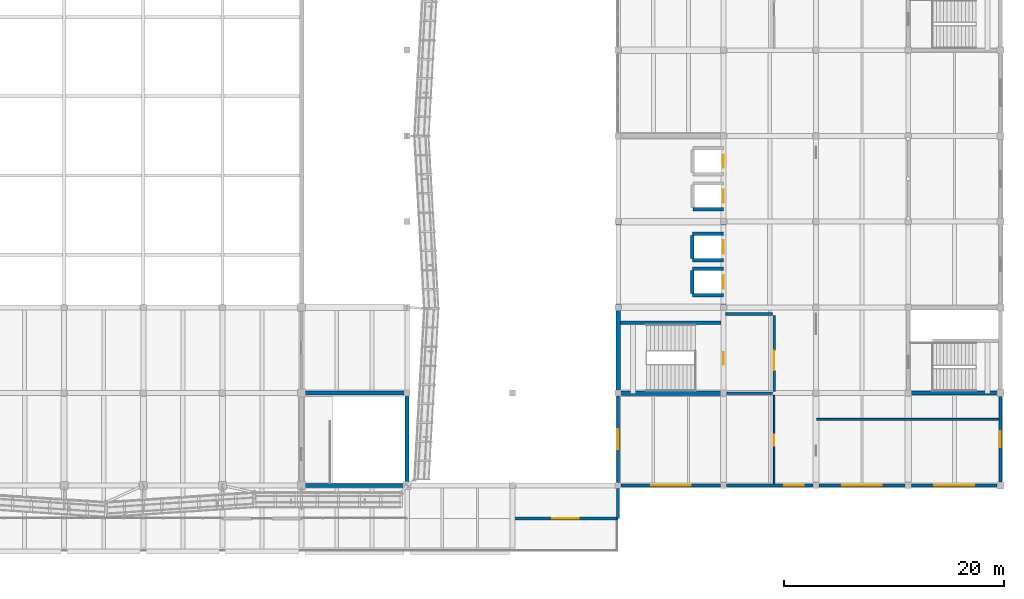
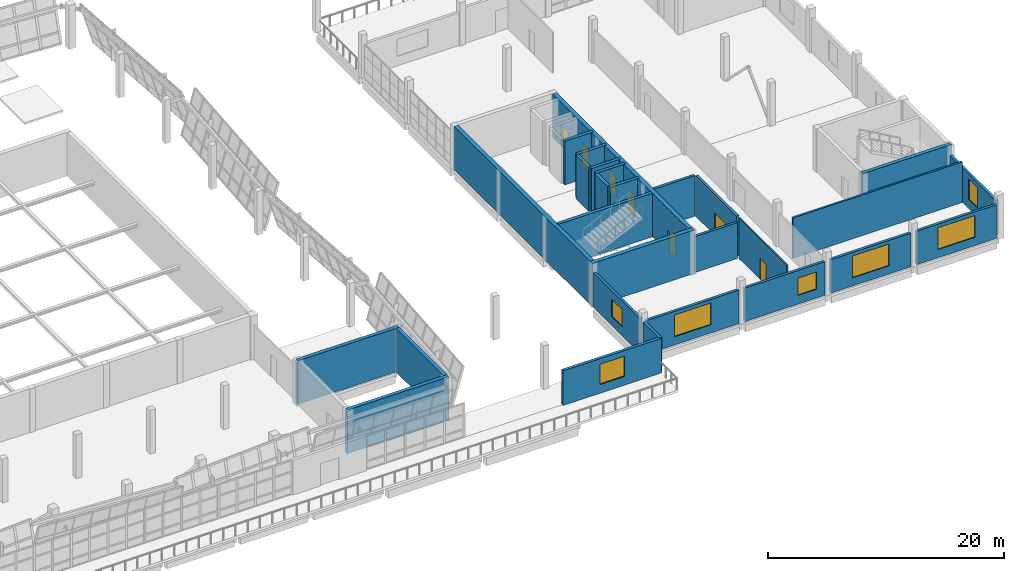
# One storey, part 56 of 67: 28 walls, 7 doors, 7 windows, 14 openings.
"""IFC4 building model written with IfcOpenShell, lengths in metres."""

import ifcopenshell
import ifcopenshell.guid

model = None  # the IFC model being written
_history = None  # IfcOwnerHistory: only IFC2X3 demands one
_inside = {}  # id of a spatial element -> (the spatial element, [elements in it])
_under = {}  # id of a project, library or spatial element -> (it, [spatial elements below it])
_declared = {}  # id of a project -> (the project, [libraries it declares])
_typed = {}  # id of a type object -> (the type object, [elements of that type])
_made_of = {}  # id of a material, layer set ... -> (it, [elements and type objects made of it])


def new_model(schema):
    """Start an empty IFC model of exactly this schema.

    Asked for "IFC4X3", IfcOpenShell would pick the latest addendum, in which some entities
    have other attributes; the version numbers below select the first issue.
    IFC2X3 requires an IfcOwnerHistory on every rooted entity: one is made here for all.
    """
    global model, _history
    if schema == "IFC4X3":
        model = ifcopenshell.file(schema_version=(4, 3, 0, 0))
    else:
        model = ifcopenshell.file(schema=schema)
    _inside.clear()
    _under.clear()
    _declared.clear()
    _typed.clear()
    _made_of.clear()
    _history = None
    if model.schema == "IFC2X3":
        org = make("IfcOrganization", Name="unknown")
        user = make(
            "IfcPersonAndOrganization",
            ThePerson=make("IfcPerson", FamilyName="unknown"),
            TheOrganization=org,
        )
        app = make(
            "IfcApplication",
            ApplicationDeveloper=org,
            Version="unknown",
            ApplicationFullName="unknown",
            ApplicationIdentifier="unknown",
        )
        _history = make(
            "IfcOwnerHistory",
            OwningUser=user,
            OwningApplication=app,
            ChangeAction="ADDED",
            CreationDate=0,
        )
    return model


def make(cls, **values):
    """One entity of the class cls with the attributes given. An attribute that is None is left unset."""
    return model.create_entity(
        cls, **{name: value for name, value in values.items() if value is not None}
    )


def rooted(cls, **values):
    """An entity with a GlobalId (a new one), such as an element, a storey or a relation."""
    return make(cls, GlobalId=ifcopenshell.guid.new(), OwnerHistory=_history, **values)


def si_unit(unit_type, name, prefix=None):
    """IfcSIUnit, for example si_unit("LENGTHUNIT", "METRE", prefix="MILLI")."""
    return make("IfcSIUnit", UnitType=unit_type, Prefix=prefix, Name=name)


def assignment(units):
    """IfcUnitAssignment: the units of a project."""
    return None if units is None else make("IfcUnitAssignment", Units=units)


def point(xyz):
    """IfcCartesianPoint."""
    return None if xyz is None else make("IfcCartesianPoint", Coordinates=xyz)


def direction(xyz):
    """IfcDirection."""
    return None if xyz is None else make("IfcDirection", DirectionRatios=xyz)


def frame(location, z_axis=None, x_axis=None):
    """IfcAxis2Placement3D, a coordinate frame: its origin and axes. An axis left out is left unset."""
    return make(
        "IfcAxis2Placement3D",
        Location=point(location),
        Axis=direction(z_axis),
        RefDirection=direction(x_axis),
    )


def frame_2d(location, x_axis=None):
    """IfcAxis2Placement2D, a coordinate frame in the plane: its origin and x axis."""
    return make(
        "IfcAxis2Placement2D", Location=point(location), RefDirection=direction(x_axis)
    )


def origin():
    """The frame at (0, 0, 0) with its axes left unset."""
    return frame((0.0, 0.0, 0.0))


def place(relative_to, where):
    """IfcLocalPlacement: puts the frame where relative to a parent placement (None: the world)."""
    return make(
        "IfcLocalPlacement", PlacementRelTo=relative_to, RelativePlacement=where
    )


def context(
    kind, dimensions, precision=None, world=None, true_north=None, identifier=None
):
    """IfcGeometricRepresentationContext, for example the 3D "Model" context."""
    return make(
        "IfcGeometricRepresentationContext",
        ContextIdentifier=identifier,
        ContextType=kind,
        CoordinateSpaceDimension=dimensions,
        Precision=precision,
        WorldCoordinateSystem=world,
        TrueNorth=true_north,
    )


def subcontext(parent, identifier, kind, view, scale=None):
    """IfcGeometricRepresentationSubContext, for example "Body" below "Model"."""
    return make(
        "IfcGeometricRepresentationSubContext",
        ContextIdentifier=identifier,
        ContextType=kind,
        ParentContext=parent,
        TargetScale=scale,
        TargetView=view,
    )


def project(units=None, contexts=None):
    """IfcProject with its units and contexts."""
    return rooted(
        "IfcProject",
        Name="project",
        RepresentationContexts=contexts,
        UnitsInContext=assignment(units),
    )


def spatial(cls, under=None, at=None, **own):
    """A site, building, storey or space (cls), placed at a placement, below another one or the project."""
    s = rooted(cls, ObjectPlacement=at, **own)
    if under is not None:
        _under.setdefault(under.id(), (under, []))[1].append(s)
    return s


def profile(cls, at=None, kind="AREA", **sizes):
    """A parametric profile (cls). Its sizes go by their IFC names, for example OverallWidth=200.0."""
    return make(cls, ProfileType=kind, Position=at, **sizes)


def rectangle(**sizes):
    """IfcRectangleProfileDef."""
    return profile("IfcRectangleProfileDef", **sizes)


def extrude(swept, where, along, depth):
    """IfcExtrudedAreaSolid: the profile swept, set in the frame where, extruded along a direction by depth."""
    return make(
        "IfcExtrudedAreaSolid",
        SweptArea=swept,
        Position=where,
        ExtrudedDirection=direction(along),
        Depth=depth,
    )


def shape(context_of_items, identifier, shape_type, items):
    """IfcShapeRepresentation: the items that make up one representation, for example the "Body"."""
    return make(
        "IfcShapeRepresentation",
        ContextOfItems=context_of_items,
        RepresentationIdentifier=identifier,
        RepresentationType=shape_type,
        Items=items,
    )


def material(Name=None, Category=None):
    """IfcMaterial."""
    return make("IfcMaterial", Name=Name, Category=Category)


def layer(
    of_material, thickness, ventilated=None, Name=None, Category=None, Priority=None
):
    """IfcMaterialLayer: one layer of a wall or slab, of a material (None: an air gap)."""
    return make(
        "IfcMaterialLayer",
        Material=of_material,
        LayerThickness=thickness,
        IsVentilated=ventilated,
        Name=Name,
        Category=Category,
        Priority=Priority,
    )


def layer_set(layers, Name=None):
    """IfcMaterialLayerSet."""
    return make("IfcMaterialLayerSet", MaterialLayers=layers, LayerSetName=Name)


def made_of(thing, what):
    """Note that an element or type object is made of a material, layer set ...; save() writes the relation."""
    if what is not None:
        _made_of.setdefault(what.id(), (what, []))[1].append(thing)
    return thing


def type_object(cls, material=None, **own):
    """A type object (cls), such as IfcWallType, which elements share."""
    return made_of(rooted(cls, **own), material)


def element(
    cls,
    number,
    at=None,
    inside=None,
    cuts=None,
    type_object=None,
    material=None,
    context=None,
    identifier="Body",
    shape_type=None,
    held_by="IfcProductDefinitionShape",
    body=None,
    shapes=None,
    **own,
):
    """One element of the class cls, such as IfcWall. Its Tag is "e" and its number.

    at: its placement. inside: the storey or other place that contains it. cuts: it is an
    opening in that element (IfcRelVoidsElement). A single representation is given by context,
    identifier, shape_type and body (its items); several are given by shapes. held_by: the class
    of the entity that holds the representations. save() writes the other relations.
    """
    e = rooted(cls, Tag="e%d" % number, ObjectPlacement=at, **own)
    if body is not None:
        shapes = [shape(context, identifier, shape_type, body)]
    if shapes is not None:
        e.Representation = make(held_by, Representations=shapes)
    if inside is not None:
        _inside.setdefault(inside.id(), (inside, []))[1].append(e)
    if cuts is not None:
        rooted(
            "IfcRelVoidsElement", RelatingBuildingElement=cuts, RelatedOpeningElement=e
        )
    if type_object is not None:
        _typed.setdefault(type_object.id(), (type_object, []))[1].append(e)
    return made_of(e, material)


def fill(opening, filler):
    """IfcRelFillsElement: the door or window that sits in an opening."""
    return rooted(
        "IfcRelFillsElement",
        RelatingOpeningElement=opening,
        RelatedBuildingElement=filler,
    )


def aggregate(whole, parts):
    """IfcRelAggregates: a whole, such as a stair, and the parts it consists of."""
    return rooted("IfcRelAggregates", RelatingObject=whole, RelatedObjects=parts)


def save(model, path):
    """Write the relations noted so far, then the file.

    IfcRelAggregates (storeys below a building ...), IfcRelContainedInSpatialStructure (elements
    in a storey), IfcRelDefinesByType, IfcRelAssociatesMaterial and IfcRelDeclares: one each for
    every whole, place, type object, material and project.
    """
    for whole, parts in _under.values():
        aggregate(whole, parts)
    for where, things in _inside.values():
        rooted(
            "IfcRelContainedInSpatialStructure",
            RelatedElements=things,
            RelatingStructure=where,
        )
    for kind, things in _typed.values():
        rooted("IfcRelDefinesByType", RelatedObjects=things, RelatingType=kind)
    for what, things in _made_of.values():
        rooted("IfcRelAssociatesMaterial", RelatedObjects=things, RelatingMaterial=what)
    for by, libraries in _declared.values():
        rooted("IfcRelDeclares", RelatingContext=by, RelatedDefinitions=libraries)
    model.write(path)


model = new_model("IFC4")

# Units and contexts
model_context = context("Model", 3, precision=1e-05, world=origin(), true_north=direction((0.0, 1.0)))
body_context = subcontext(model_context, "Body", "Model", "MODEL_VIEW")
ifc_project = project(units=[si_unit("LENGTHUNIT", "METRE"), si_unit("AREAUNIT", "SQUARE_METRE"), si_unit("VOLUMEUNIT", "CUBIC_METRE"), si_unit("PLANEANGLEUNIT", "RADIAN"), si_unit("MASSUNIT", "GRAM", prefix="KILO")], contexts=[model_context])

# Site, building, storey
site_placement = place(None, origin())
site = spatial("IfcSite", under=ifc_project, at=site_placement, CompositionType="ELEMENT")
building_placement = place(site_placement, origin())
building = spatial("IfcBuilding", under=site, at=building_placement, Name="Pellamere Symphony Hall", CompositionType="ELEMENT")
storey_placement = place(building_placement, frame((0.0, 0.0, 19.5)))
storey = spatial("IfcBuildingStorey", under=building, at=storey_placement, Name="L04", CompositionType="ELEMENT", Elevation=19.5)

# Wall, opening, window
ifc_material_1 = material(Name="Architectural Limestone-Clad Insulated Backing Assembly", Category="masonry")
ifc_layer_1 = layer(ifc_material_1, 0.280029296875, Name="Architectural Limestone-Clad Insulated Backing Assembly")
ifc_layer_set_1 = layer_set([ifc_layer_1], Name="Architectural Limestone-Clad Insulated Backing Assembly")
wall_type_1 = type_object("IfcWallType", Name="Exterior Wall EW-03 280mm", PredefinedType="SOLIDWALL", material=ifc_layer_set_1)
wall_1_placement = place(storey_placement, frame((128.39990234375, 27.0, 0.0), z_axis=(0.0, 0.0, 1.0), x_axis=(1.0, 0.0, 0.0)))
wall_1 = element("IfcWall", 1, at=wall_1_placement, inside=storey, type_object=wall_type_1, Name="Exterior Wall EW-03-058 (L04)", PredefinedType="SOLIDWALL", context=body_context, shape_type="SweptSolid", body=[
    extrude(rectangle(XDim=9.60009765625, YDim=0.280029296875, at=frame_2d((4.800048828125, 0.0))), origin(), (0.0, 0.0, 1.0), 3.577392578125),
])
opening_1_placement = place(wall_1_placement, frame((3.60009765625, 0.0, 0.89990234375)))
opening_1 = element("IfcOpeningElement", 2, at=opening_1_placement, cuts=wall_1, Name="Opening W033", PredefinedType="OPENING", context=body_context, shape_type="SweptSolid", body=[
    extrude(rectangle(XDim=2.39990234375, YDim=2.10009765625, at=frame_2d((1.199951171875, 1.050048828125))), frame((0.0, 0.14990234375, 0.0), z_axis=(0.0, -1.0, 0.0), x_axis=(1.0, 0.0, 0.0)), (0.0, 0.0, 1.0), 0.300048828125),
])
ifc_material_2 = material(Name="Thermally Broken Aluminium Triple-Glazed Acoustic Window", Category="aluminium")
window_type_1 = type_object("IfcWindowType", Name="Window WN-02 2400x2100", PartitioningType="DOUBLE_PANEL_VERTICAL", PredefinedType="WINDOW", material=ifc_material_2)
window_1_placement = place(opening_1_placement, origin())
window_1 = element("IfcWindow", 3, at=window_1_placement, inside=storey, type_object=window_type_1, Name="Exterior Window W033 (L04)", OverallHeight=2.10009765625, OverallWidth=2.39990234375, PartitioningType="SINGLE_PANEL", PredefinedType="WINDOW", context=body_context, shape_type="SweptSolid", body=[
    extrude(rectangle(XDim=2.39990234375, YDim=2.10009765625, at=frame_2d((1.199951171875, 1.050048828125))), frame((0.0, 0.030029296875, 0.0), z_axis=(0.0, -1.0, 0.0), x_axis=(1.0, 0.0, 0.0)), (0.0, 0.0, 1.0), 0.06005859375),
])
fill(opening_1, window_1)

# Wall
wall_2_placement = place(storey_placement, frame((138.0, 27.0, 0.0), z_axis=(0.0, 0.0, 1.0), x_axis=(0.0, 1.0, 0.0)))
element("IfcWall", 4, at=wall_2_placement, inside=storey, type_object=wall_type_1, Name="Exterior Wall EW-03-064 (L04)", PredefinedType="SOLIDWALL", context=body_context, shape_type="SweptSolid", body=[
    extrude(rectangle(XDim=2.72509765625, YDim=0.280029296875, at=frame_2d((1.362548828125, 0.0))), origin(), (0.0, 0.0, 1.0), 3.577392578125),
])

# Wall, opening, window
ifc_material_3 = material(Name="Insulated Zinc Rainscreen Backing Wall Assembly", Category="aluminium")
ifc_layer_2 = layer(ifc_material_3, 0.25, Name="Insulated Zinc Rainscreen Backing Wall Assembly")
ifc_layer_set_2 = layer_set([ifc_layer_2], Name="Insulated Zinc Rainscreen Backing Wall Assembly")
wall_type_2 = type_object("IfcWallType", Name="Exterior Wall EW-04 250mm", PredefinedType="SOLIDWALL", material=ifc_layer_set_2)
wall_3_placement = place(storey_placement, frame((138.27490234375, 30.0, 0.0), z_axis=(0.0, 0.0, 1.0), x_axis=(1.0, 0.0, 0.0)))
wall_3 = element("IfcWall", 5, at=wall_3_placement, inside=storey, type_object=wall_type_2, Name="Exterior Wall EW-04-122 (L04)", PredefinedType="SOLIDWALL", context=body_context, shape_type="SweptSolid", body=[
    extrude(rectangle(XDim=9.050048828125, YDim=0.25, at=frame_2d((4.52490234375, 0.0))), origin(), (0.0, 0.0, 1.0), 3.469970703125),
])
opening_2_placement = place(wall_3_placement, frame((2.72509765625, 0.0, 0.85009765625)))
opening_2 = element("IfcOpeningElement", 6, at=opening_2_placement, cuts=wall_3, Name="Opening W082", PredefinedType="OPENING", context=body_context, shape_type="SweptSolid", body=[
    extrude(rectangle(XDim=3.60009765625, YDim=2.25, at=frame_2d((1.800048828125, 1.125))), frame((0.0, 0.135009765625, 0.0), z_axis=(0.0, -1.0, 0.0), x_axis=(1.0, 0.0, 0.0)), (0.0, 0.0, 1.0), 0.27001953125),
])
window_type_2 = type_object("IfcWindowType", Name="Window WN-05 3600x2250", PartitioningType="TRIPLE_PANEL_VERTICAL", PredefinedType="WINDOW", material=ifc_material_2)
window_2_placement = place(opening_2_placement, origin())
window_2 = element("IfcWindow", 7, at=window_2_placement, inside=storey, type_object=window_type_2, Name="Exterior Window W082 (L04)", OverallHeight=2.25, OverallWidth=3.60009765625, PartitioningType="SINGLE_PANEL", PredefinedType="WINDOW", context=body_context, shape_type="SweptSolid", body=[
    extrude(rectangle(XDim=3.60009765625, YDim=2.25, at=frame_2d((1.800048828125, 1.125))), frame((0.0, 0.030029296875, 0.0), z_axis=(0.0, -1.0, 0.0), x_axis=(1.0, 0.0, 0.0)), (0.0, 0.0, 1.0), 0.06005859375),
])
fill(opening_2, window_2)

wall_4_placement = place(storey_placement, frame((147.875, 30.0, 0.0), z_axis=(0.0, 0.0, 1.0), x_axis=(1.0, 0.0, 0.0)))
wall_4 = element("IfcWall", 8, at=wall_4_placement, inside=storey, type_object=wall_type_2, Name="Exterior Wall EW-04-123 (L04)", PredefinedType="SOLIDWALL", context=body_context, shape_type="SweptSolid", body=[
    extrude(rectangle(XDim=7.85009765625, YDim=0.25, at=frame_2d((3.925048828125, 0.0))), origin(), (0.0, 0.0, 1.0), 3.469970703125),
])
opening_3_placement = place(wall_4_placement, frame((5.222900390625, 0.0, 0.89990234375)))
opening_3 = element("IfcOpeningElement", 9, at=opening_3_placement, cuts=wall_4, Name="Opening W083", PredefinedType="OPENING", context=body_context, shape_type="SweptSolid", body=[
    extrude(rectangle(XDim=1.800048828125, YDim=1.800048828125, at=frame_2d((0.89990234375, 0.89990234375))), frame((0.0, 0.135009765625, 0.0), z_axis=(0.0, -1.0, 0.0), x_axis=(1.0, 0.0, 0.0)), (0.0, 0.0, 1.0), 0.27001953125),
])
window_type_3 = type_object("IfcWindowType", Name="Window WN-03 1800x1800", PartitioningType="DOUBLE_PANEL_VERTICAL", PredefinedType="WINDOW", material=ifc_material_2)
window_3_placement = place(opening_3_placement, origin())
window_3 = element("IfcWindow", 10, at=window_3_placement, inside=storey, type_object=window_type_3, Name="Exterior Window W083 (L04)", OverallHeight=1.800048828125, OverallWidth=1.800048828125, PartitioningType="SINGLE_PANEL", PredefinedType="WINDOW", context=body_context, shape_type="SweptSolid", body=[
    extrude(rectangle(XDim=1.800048828125, YDim=1.800048828125, at=frame_2d((0.89990234375, 0.89990234375))), frame((0.0, 0.030029296875, 0.0), z_axis=(0.0, -1.0, 0.0), x_axis=(1.0, 0.0, 0.0)), (0.0, 0.0, 1.0), 0.06005859375),
])
fill(opening_3, window_3)

wall_5_placement = place(storey_placement, frame((156.27490234375, 30.0, 0.0), z_axis=(0.0, 0.0, 1.0), x_axis=(1.0, 0.0, 0.0)))
wall_5 = element("IfcWall", 11, at=wall_5_placement, inside=storey, type_object=wall_type_2, Name="Exterior Wall EW-04-124 (L04)", PredefinedType="SOLIDWALL", context=body_context, shape_type="SweptSolid", body=[
    extrude(rectangle(XDim=7.85009765625, YDim=0.25, at=frame_2d((3.925048828125, 0.0))), origin(), (0.0, 0.0, 1.0), 3.469970703125),
])
opening_4_placement = place(wall_5_placement, frame((2.125, 0.0, 0.85009765625)))
opening_4 = element("IfcOpeningElement", 12, at=opening_4_placement, cuts=wall_5, Name="Opening W084", PredefinedType="OPENING", context=body_context, shape_type="SweptSolid", body=[
    extrude(rectangle(XDim=3.60009765625, YDim=2.25, at=frame_2d((1.800048828125, 1.125))), frame((0.0, 0.135009765625, 0.0), z_axis=(0.0, -1.0, 0.0), x_axis=(1.0, 0.0, 0.0)), (0.0, 0.0, 1.0), 0.27001953125),
])
window_4_placement = place(opening_4_placement, origin())
window_4 = element("IfcWindow", 13, at=window_4_placement, inside=storey, type_object=window_type_2, Name="Exterior Window W084 (L04)", OverallHeight=2.25, OverallWidth=3.60009765625, PartitioningType="SINGLE_PANEL", PredefinedType="WINDOW", context=body_context, shape_type="SweptSolid", body=[
    extrude(rectangle(XDim=3.60009765625, YDim=2.25, at=frame_2d((1.800048828125, 1.125))), frame((0.0, 0.030029296875, 0.0), z_axis=(0.0, -1.0, 0.0), x_axis=(1.0, 0.0, 0.0)), (0.0, 0.0, 1.0), 0.06005859375),
])
fill(opening_4, window_4)

wall_6_placement = place(storey_placement, frame((164.675048828125, 30.0, 0.0), z_axis=(0.0, 0.0, 1.0), x_axis=(1.0, 0.0, 0.0)))
wall_6 = element("IfcWall", 14, at=wall_6_placement, inside=storey, type_object=wall_type_2, Name="Exterior Wall EW-04-125 (L04)", PredefinedType="SOLIDWALL", context=body_context, shape_type="SweptSolid", body=[
    extrude(rectangle(XDim=7.81494140625, YDim=0.25, at=frame_2d((3.907470703125, 0.0))), origin(), (0.0, 0.0, 1.0), 3.469970703125),
])
opening_5_placement = place(wall_6_placement, frame((2.107421875, 0.0, 0.85009765625)))
opening_5 = element("IfcOpeningElement", 15, at=opening_5_placement, cuts=wall_6, Name="Opening W085", PredefinedType="OPENING", context=body_context, shape_type="SweptSolid", body=[
    extrude(rectangle(XDim=3.60009765625, YDim=2.25, at=frame_2d((1.800048828125, 1.125))), frame((0.0, 0.135009765625, 0.0), z_axis=(0.0, -1.0, 0.0), x_axis=(1.0, 0.0, 0.0)), (0.0, 0.0, 1.0), 0.27001953125),
])
window_5_placement = place(opening_5_placement, origin())
window_5 = element("IfcWindow", 16, at=window_5_placement, inside=storey, type_object=window_type_2, Name="Exterior Window W085 (L04)", OverallHeight=2.25, OverallWidth=3.60009765625, PartitioningType="SINGLE_PANEL", PredefinedType="WINDOW", context=body_context, shape_type="SweptSolid", body=[
    extrude(rectangle(XDim=3.60009765625, YDim=2.25, at=frame_2d((1.800048828125, 1.125))), frame((0.0, 0.030029296875, 0.0), z_axis=(0.0, -1.0, 0.0), x_axis=(1.0, 0.0, 0.0)), (0.0, 0.0, 1.0), 0.06005859375),
])
fill(opening_5, window_5)

wall_7_placement = place(storey_placement, frame((172.800048828125, 30.31005859375, 0.0), z_axis=(0.0, 0.0, 1.0), x_axis=(0.0, 1.0, 0.0)))
wall_7 = element("IfcWall", 17, at=wall_7_placement, inside=storey, type_object=wall_type_2, Name="Exterior Wall EW-04-128 (L04)", PredefinedType="SOLIDWALL", context=body_context, shape_type="SweptSolid", body=[
    extrude(rectangle(XDim=7.780029296875, YDim=0.25, at=frame_2d((3.89013671875, 0.0))), origin(), (0.0, 0.0, 1.0), 3.52001953125),
])
opening_6_placement = place(wall_7_placement, frame((3.139892578125, 0.0, 0.89990234375)))
opening_6 = element("IfcOpeningElement", 18, at=opening_6_placement, cuts=wall_7, Name="Opening W087", PredefinedType="OPENING", context=body_context, shape_type="SweptSolid", body=[
    extrude(rectangle(XDim=1.5, YDim=2.10009765625, at=frame_2d((0.75, 1.050048828125))), frame((0.0, 0.135009765625, 0.0), z_axis=(0.0, -1.0, 0.0), x_axis=(1.0, 0.0, 0.0)), (0.0, 0.0, 1.0), 0.27001953125),
])
window_type_4 = type_object("IfcWindowType", Name="Window WN-01 1500x2100", PartitioningType="SINGLE_PANEL", PredefinedType="WINDOW", material=ifc_material_2)
window_6_placement = place(opening_6_placement, origin())
window_6 = element("IfcWindow", 19, at=window_6_placement, inside=storey, type_object=window_type_4, Name="Exterior Window W087 (L04)", OverallHeight=2.10009765625, OverallWidth=1.5, PartitioningType="SINGLE_PANEL", PredefinedType="WINDOW", context=body_context, shape_type="SweptSolid", body=[
    extrude(rectangle(XDim=1.5, YDim=2.10009765625, at=frame_2d((0.75, 1.050048828125))), frame((0.0, 0.030029296875, 0.0), z_axis=(0.0, -1.0, 0.0), x_axis=(1.0, 0.0, 0.0)), (0.0, 0.0, 1.0), 0.06005859375),
])
fill(opening_6, window_6)

wall_8_placement = place(storey_placement, frame((138.0, 30.27490234375, 0.0), z_axis=(0.0, 0.0, 1.0), x_axis=(0.0, 1.0, 0.0)))
wall_8 = element("IfcWall", 20, at=wall_8_placement, inside=storey, type_object=wall_type_2, Name="Exterior Wall EW-04-132 (L04)", PredefinedType="SOLIDWALL", context=body_context, shape_type="SweptSolid", body=[
    extrude(rectangle(XDim=7.85009765625, YDim=0.25, at=frame_2d((3.925048828125, 0.0))), origin(), (0.0, 0.0, 1.0), 3.577392578125),
])
opening_7_placement = place(wall_8_placement, frame((3.02490234375, 0.0, 0.89990234375)))
opening_7 = element("IfcOpeningElement", 21, at=opening_7_placement, cuts=wall_8, Name="Opening W091", PredefinedType="OPENING", context=body_context, shape_type="SweptSolid", body=[
    extrude(rectangle(XDim=1.800048828125, YDim=1.800048828125, at=frame_2d((0.89990234375, 0.89990234375))), frame((0.0, 0.135009765625, 0.0), z_axis=(0.0, -1.0, 0.0), x_axis=(1.0, 0.0, 0.0)), (0.0, 0.0, 1.0), 0.27001953125),
])
window_7_placement = place(opening_7_placement, origin())
window_7 = element("IfcWindow", 22, at=window_7_placement, inside=storey, type_object=window_type_3, Name="Exterior Window W091 (L04)", OverallHeight=1.800048828125, OverallWidth=1.800048828125, PartitioningType="SINGLE_PANEL", PredefinedType="WINDOW", context=body_context, shape_type="SweptSolid", body=[
    extrude(rectangle(XDim=1.800048828125, YDim=1.800048828125, at=frame_2d((0.89990234375, 0.89990234375))), frame((0.0, 0.030029296875, 0.0), z_axis=(0.0, -1.0, 0.0), x_axis=(1.0, 0.0, 0.0)), (0.0, 0.0, 1.0), 0.06005859375),
])
fill(opening_7, window_7)

# Walls
ifc_material_4 = material(Name="Double-Stud STC-65 Acoustic Drywall Partition", Category="gypsum")
ifc_layer_3 = layer(ifc_material_4, 0.239990234375, Name="Double-Stud STC-65 Acoustic Drywall Partition")
ifc_layer_set_3 = layer_set([ifc_layer_3], Name="Double-Stud STC-65 Acoustic Drywall Partition")
wall_type_3 = type_object("IfcWallType", Name="Interior Partition IW-01 240mm", PredefinedType="PARTITIONING", material=ifc_layer_set_3)
wall_9_placement = place(storey_placement, frame((147.760009765625, 38.39990234375, 0.0), z_axis=(0.0, 0.0, 1.0), x_axis=(1.0, 0.0, 0.0)))
element("IfcWall", 23, at=wall_9_placement, inside=storey, type_object=wall_type_3, Name="Interior Partition IW-01-036 (L04)", PredefinedType="PARTITIONING", context=body_context, shape_type="SweptSolid", body=[
    extrude(rectangle(XDim=4.280029296875, YDim=0.239990234375, at=frame_2d((2.14013671875, 0.0))), origin(), (0.0, 0.0, 1.0), 3.699951171875),
])
wall_10_placement = place(storey_placement, frame((147.760009765625, 45.60009765625, 0.0), z_axis=(0.0, 0.0, 1.0), x_axis=(1.0, 0.0, 0.0)))
element("IfcWall", 24, at=wall_10_placement, inside=storey, type_object=wall_type_3, Name="Interior Partition IW-01-037 (L04)", PredefinedType="PARTITIONING", context=body_context, shape_type="SweptSolid", body=[
    extrude(rectangle(XDim=4.280029296875, YDim=0.239990234375, at=frame_2d((2.14013671875, 0.0))), origin(), (0.0, 0.0, 1.0), 4.18994140625),
])

# Wall, opening, door
wall_11_placement = place(storey_placement, frame((152.199951171875, 38.56005859375, 0.0), z_axis=(0.0, 0.0, 1.0), x_axis=(0.0, 1.0, 0.0)))
wall_11 = element("IfcWall", 25, at=wall_11_placement, inside=storey, type_object=wall_type_3, Name="Interior Partition IW-01-038 (L04)", PredefinedType="PARTITIONING", context=body_context, shape_type="SweptSolid", body=[
    extrude(rectangle(XDim=6.8798828125, YDim=0.239990234375, at=frame_2d((3.43994140625, 0.0))), origin(), (0.0, 0.0, 1.0), 4.18994140625),
])
opening_8_placement = place(wall_11_placement, frame((1.89990234375, 0.0, 0.0)))
opening_8 = element("IfcOpeningElement", 26, at=opening_8_placement, cuts=wall_11, Name="Opening FD-16", PredefinedType="OPENING", context=body_context, shape_type="SweptSolid", body=[
    extrude(rectangle(XDim=1.800048828125, YDim=2.300048828125, at=frame_2d((0.89990234375, 1.14990234375))), frame((0.0, 0.1298828125, 0.0), z_axis=(0.0, -1.0, 0.0), x_axis=(1.0, 0.0, 0.0)), (0.0, 0.0, 1.0), 0.260009765625),
])
ifc_material_5 = material(Name="Fire-Rated Cross-Corridor Double Door", Category="wood")
door_type_1 = type_object("IfcDoorType", Name="Interior Door ID-FD1 1800x2300", OperationType="NOTDEFINED", PredefinedType="DOOR", material=ifc_material_5)
door_1_placement = place(opening_8_placement, origin())
door_1 = element("IfcDoor", 27, at=door_1_placement, inside=storey, type_object=door_type_1, Name="Firefighting Lobby C2 Foyer Entry Door (L04)", OperationType="DOUBLE_DOOR_SINGLE_SWING", OverallHeight=2.300048828125, OverallWidth=1.800048828125, PredefinedType="DOOR", context=body_context, shape_type="SweptSolid", body=[
    extrude(rectangle(XDim=1.800048828125, YDim=2.300048828125, at=frame_2d((0.89990234375, 1.14990234375))), frame((0.0, 0.02490234375, 0.0), z_axis=(0.0, -1.0, 0.0), x_axis=(1.0, 0.0, 0.0)), (0.0, 0.0, 1.0), 0.050048828125),
])
fill(opening_8, door_1)

ifc_material_6 = material(Name="Interior Metal-Stud Gypsum Partition", Category="gypsum")
ifc_layer_4 = layer(ifc_material_6, 0.1298828125, Name="Interior Metal-Stud Gypsum Partition")
ifc_layer_set_4 = layer_set([ifc_layer_4], Name="Interior Metal-Stud Gypsum Partition")
wall_type_4 = type_object("IfcWallType", Name="Interior Partition IW-04 130mm", PredefinedType="PARTITIONING", material=ifc_layer_set_4)
wall_12_placement = place(storey_placement, frame((152.199951171875, 30.1298828125, 0.0), z_axis=(0.0, 0.0, 1.0), x_axis=(0.0, 1.0, 0.0)))
wall_12 = element("IfcWall", 28, at=wall_12_placement, inside=storey, type_object=wall_type_4, Name="Interior Partition IW-04-104 (L04)", PredefinedType="PARTITIONING", context=body_context, shape_type="SweptSolid", body=[
    extrude(rectangle(XDim=8.090087890625, YDim=0.1298828125, at=frame_2d((4.044921875, 0.0))), origin(), (0.0, 0.0, 1.0), 4.18994140625),
])
opening_9_placement = place(wall_12_placement, frame((3.5, 0.0, 0.0)))
opening_9 = element("IfcOpeningElement", 29, at=opening_9_placement, cuts=wall_12, Name="Opening ID-AD3-060", PredefinedType="OPENING", context=body_context, shape_type="SweptSolid", body=[
    extrude(rectangle(XDim=0.97998046875, YDim=2.199951171875, at=frame_2d((0.489990234375, 1.10009765625))), frame((0.0, 0.074951171875, 0.0), z_axis=(0.0, -1.0, 0.0), x_axis=(1.0, 0.0, 0.0)), (0.0, 0.0, 1.0), 0.14990234375),
])
ifc_material_7 = material(Name="STC-48 Acoustic Practice Room Door", Category="wood")
door_type_2 = type_object("IfcDoorType", Name="Interior Door ID-AD3 980x2200", OperationType="NOTDEFINED", PredefinedType="DOOR", material=ifc_material_7)
door_2_placement = place(opening_9_placement, origin())
door_2 = element("IfcDoor", 30, at=door_2_placement, inside=storey, type_object=door_type_2, Name="Composer Studio 1 Door", OperationType="SINGLE_SWING_LEFT", OverallHeight=2.199951171875, OverallWidth=0.97998046875, PredefinedType="DOOR", context=body_context, shape_type="SweptSolid", body=[
    extrude(rectangle(XDim=0.97998046875, YDim=2.199951171875, at=frame_2d((0.489990234375, 1.10009765625))), frame((0.0, 0.02490234375, 0.0), z_axis=(0.0, -1.0, 0.0), x_axis=(1.0, 0.0, 0.0)), (0.0, 0.0, 1.0), 0.050048828125),
])
fill(opening_9, door_2)

# Walls
ifc_material_8 = material(Name="Moisture-Resistant Ceramic-Tiled Washroom Wall", Category="gypsum")
ifc_layer_5 = layer(ifc_material_8, 0.179931640625, Name="Moisture-Resistant Ceramic-Tiled Washroom Wall")
ifc_layer_set_5 = layer_set([ifc_layer_5], Name="Moisture-Resistant Ceramic-Tiled Washroom Wall")
wall_type_5 = type_object("IfcWallType", Name="Interior Partition IW-06 180mm", PredefinedType="PARTITIONING", material=ifc_layer_set_5)
wall_13_placement = place(storey_placement, frame((156.070068359375, 36.0, 0.0), z_axis=(0.0, 0.0, 1.0), x_axis=(1.0, 0.0, 0.0)))
element("IfcWall", 31, at=wall_13_placement, inside=storey, type_object=wall_type_5, Name="Interior Partition IW-06-107 (L04)", PredefinedType="PARTITIONING", context=body_context, shape_type="SweptSolid", body=[
    extrude(rectangle(XDim=16.599853515625, YDim=0.179931640625, at=frame_2d((8.2998046875, 0.0))), origin(), (0.0, 0.0, 1.0), 4.18994140625),
])
ifc_material_9 = material(Name="Concrete 50 MPa", Category="concrete")
ifc_layer_6 = layer(ifc_material_9, 0.39990234375, Name="Concrete 50 MPa")
ifc_layer_set_6 = layer_set([ifc_layer_6], Name="Concrete 50 MPa")
wall_type_6 = type_object("IfcWallType", Name="Structural Wall SW-02 400mm", PredefinedType="SHEAR", material=ifc_layer_set_6)
wall_14_placement = place(storey_placement, frame((137.800048828125, 38.39990234375, 0.0), z_axis=(0.0, 0.0, 1.0), x_axis=(1.0, 0.0, 0.0)))
element("IfcWall", 32, at=wall_14_placement, inside=storey, type_object=wall_type_6, Name="Core Shear Wall C2 S (L04)", PredefinedType="SHEAR", context=body_context, shape_type="SweptSolid", body=[
    extrude(rectangle(XDim=10.0, YDim=0.39990234375, at=frame_2d((5.0, 0.0))), origin(), (0.0, 0.0, 1.0), 4.5),
])
wall_15_placement = place(storey_placement, frame((138.0, 38.60009765625, 0.0), z_axis=(0.0, 0.0, 1.0), x_axis=(0.0, 1.0, 0.0)))
element("IfcWall", 33, at=wall_15_placement, inside=storey, type_object=wall_type_6, Name="Core Shear Wall C2 W (L04)", PredefinedType="SHEAR", context=body_context, shape_type="SweptSolid", body=[
    extrude(rectangle(XDim=23.0, YDim=0.39990234375, at=frame_2d((11.5, 0.0))), origin(), (0.0, 0.0, 1.0), 4.5),
])

# Wall, openings, doors
wall_16_placement = place(storey_placement, frame((147.60009765625, 38.60009765625, 0.0), z_axis=(0.0, 0.0, 1.0), x_axis=(0.0, 1.0, 0.0)))
wall_16 = element("IfcWall", 34, at=wall_16_placement, inside=storey, type_object=wall_type_6, Name="Core Shear Wall C2 E (L04)", PredefinedType="SHEAR", context=body_context, shape_type="SweptSolid", body=[
    extrude(rectangle(XDim=23.0, YDim=0.39990234375, at=frame_2d((11.5, 0.0))), origin(), (0.0, 0.0, 1.0), 4.5),
])
opening_10_placement = place(wall_16_placement, frame((9.300048828125, 0.0, 0.0)))
opening_10 = element("IfcOpeningElement", 35, at=opening_10_placement, cuts=wall_16, Name="Opening LD-18", PredefinedType="OPENING", context=body_context, shape_type="SweptSolid", body=[
    extrude(rectangle(XDim=1.199951171875, YDim=2.199951171875, at=frame_2d((0.60009765625, 1.10009765625))), frame((0.0, 0.2099609375, 0.0), z_axis=(0.0, -1.0, 0.0), x_axis=(1.0, 0.0, 0.0)), (0.0, 0.0, 1.0), 0.419921875),
])
opening_11_placement = place(wall_16_placement, frame((12.5, 0.0, 0.0)))
opening_11 = element("IfcOpeningElement", 36, at=opening_11_placement, cuts=wall_16, Name="Opening LD-26", PredefinedType="OPENING", context=body_context, shape_type="SweptSolid", body=[
    extrude(rectangle(XDim=1.199951171875, YDim=2.199951171875, at=frame_2d((0.60009765625, 1.10009765625))), frame((0.0, 0.2099609375, 0.0), z_axis=(0.0, -1.0, 0.0), x_axis=(1.0, 0.0, 0.0)), (0.0, 0.0, 1.0), 0.419921875),
])
opening_12_placement = place(wall_16_placement, frame((17.10009765625, 0.0, 0.0)))
opening_12 = element("IfcOpeningElement", 37, at=opening_12_placement, cuts=wall_16, Name="Opening LD-34", PredefinedType="OPENING", context=body_context, shape_type="SweptSolid", body=[
    extrude(rectangle(XDim=1.199951171875, YDim=2.199951171875, at=frame_2d((0.60009765625, 1.10009765625))), frame((0.0, 0.2099609375, 0.0), z_axis=(0.0, -1.0, 0.0), x_axis=(1.0, 0.0, 0.0)), (0.0, 0.0, 1.0), 0.419921875),
])
opening_13_placement = place(wall_16_placement, frame((20.300048828125, 0.0, 0.0)))
opening_13 = element("IfcOpeningElement", 38, at=opening_13_placement, cuts=wall_16, Name="Opening LD-41", PredefinedType="OPENING", context=body_context, shape_type="SweptSolid", body=[
    extrude(rectangle(XDim=1.199951171875, YDim=2.199951171875, at=frame_2d((0.60009765625, 1.10009765625))), frame((0.0, 0.2099609375, 0.0), z_axis=(0.0, -1.0, 0.0), x_axis=(1.0, 0.0, 0.0)), (0.0, 0.0, 1.0), 0.419921875),
])
opening_14_placement = place(wall_16_placement, frame((2.39990234375, 0.0, 0.0)))
opening_14 = element("IfcOpeningElement", 39, at=opening_14_placement, cuts=wall_16, Name="Opening SD-12", PredefinedType="OPENING", context=body_context, shape_type="SweptSolid", body=[
    extrude(rectangle(XDim=1.10009765625, YDim=2.199951171875, at=frame_2d((0.550048828125, 1.10009765625))), frame((0.0, 0.2099609375, 0.0), z_axis=(0.0, -1.0, 0.0), x_axis=(1.0, 0.0, 0.0)), (0.0, 0.0, 1.0), 0.419921875),
])
ifc_material_10 = material(Name="Stainless Steel AISI 316 Elevator Landing Door", Category="steel")
door_type_3 = type_object("IfcDoorType", Name="Interior Door ID-LD1 1200x2200", OperationType="NOTDEFINED", PredefinedType="DOOR", material=ifc_material_10)
door_3_placement = place(opening_10_placement, origin())
door_3 = element("IfcDoor", 40, at=door_3_placement, inside=storey, type_object=door_type_3, Name="Elevator FFL1 Sliding Landing Door (L04)", OperationType="SLIDING_TO_RIGHT", OverallHeight=2.199951171875, OverallWidth=1.199951171875, PredefinedType="DOOR", context=body_context, shape_type="SweptSolid", body=[
    extrude(rectangle(XDim=1.199951171875, YDim=2.199951171875, at=frame_2d((0.60009765625, 1.10009765625))), frame((0.0, 0.02490234375, 0.0), z_axis=(0.0, -1.0, 0.0), x_axis=(1.0, 0.0, 0.0)), (0.0, 0.0, 1.0), 0.050048828125),
])
fill(opening_10, door_3)
door_4_placement = place(opening_11_placement, origin())
door_4 = element("IfcDoor", 41, at=door_4_placement, inside=storey, type_object=door_type_3, Name="Elevator FFL2 Sliding Landing Door (L04)", OperationType="SLIDING_TO_RIGHT", OverallHeight=2.199951171875, OverallWidth=1.199951171875, PredefinedType="DOOR", context=body_context, shape_type="SweptSolid", body=[
    extrude(rectangle(XDim=1.199951171875, YDim=2.199951171875, at=frame_2d((0.60009765625, 1.10009765625))), frame((0.0, 0.02490234375, 0.0), z_axis=(0.0, -1.0, 0.0), x_axis=(1.0, 0.0, 0.0)), (0.0, 0.0, 1.0), 0.050048828125),
])
fill(opening_11, door_4)
door_5_placement = place(opening_12_placement, origin())
door_5 = element("IfcDoor", 42, at=door_5_placement, inside=storey, type_object=door_type_3, Name="Elevator PL3 Sliding Landing Door (L04)", OperationType="SLIDING_TO_RIGHT", OverallHeight=2.199951171875, OverallWidth=1.199951171875, PredefinedType="DOOR", context=body_context, shape_type="SweptSolid", body=[
    extrude(rectangle(XDim=1.199951171875, YDim=2.199951171875, at=frame_2d((0.60009765625, 1.10009765625))), frame((0.0, 0.02490234375, 0.0), z_axis=(0.0, -1.0, 0.0), x_axis=(1.0, 0.0, 0.0)), (0.0, 0.0, 1.0), 0.050048828125),
])
fill(opening_12, door_5)
door_6_placement = place(opening_13_placement, origin())
door_6 = element("IfcDoor", 43, at=door_6_placement, inside=storey, type_object=door_type_3, Name="Elevator PL4 Sliding Landing Door (L04)", OperationType="SLIDING_TO_LEFT", OverallHeight=2.199951171875, OverallWidth=1.199951171875, PredefinedType="DOOR", context=body_context, shape_type="SweptSolid", body=[
    extrude(rectangle(XDim=1.199951171875, YDim=2.199951171875, at=frame_2d((0.60009765625, 1.10009765625))), frame((0.0, 0.02490234375, 0.0), z_axis=(0.0, -1.0, 0.0), x_axis=(1.0, 0.0, 0.0)), (0.0, 0.0, 1.0), 0.050048828125),
])
fill(opening_13, door_6)
ifc_material_11 = material(Name="Fire-Rated Steel Exit Stair Door", Category="steel")
door_type_4 = type_object("IfcDoorType", Name="Interior Door ID-SD1 1100x2200", OperationType="NOTDEFINED", PredefinedType="DOOR", material=ifc_material_11)
door_7_placement = place(opening_14_placement, origin())
door_7 = element("IfcDoor", 44, at=door_7_placement, inside=storey, type_object=door_type_4, Name="Core C2 Exit Stair Door (L04)", OperationType="SINGLE_SWING_RIGHT", OverallHeight=2.199951171875, OverallWidth=1.10009765625, PredefinedType="DOOR", context=body_context, shape_type="SweptSolid", body=[
    extrude(rectangle(XDim=1.10009765625, YDim=2.199951171875, at=frame_2d((0.550048828125, 1.10009765625))), frame((0.0, 0.02490234375, 0.0), z_axis=(0.0, -1.0, 0.0), x_axis=(1.0, 0.0, 0.0)), (0.0, 0.0, 1.0), 0.050048828125),
])
fill(opening_14, door_7)

# Walls
ifc_material_12 = material(Name="Concrete 40 MPa", Category="concrete")
ifc_layer_7 = layer(ifc_material_12, 0.35009765625, Name="Concrete 40 MPa")
ifc_layer_set_7 = layer_set([ifc_layer_7], Name="Concrete 40 MPa")
wall_type_7 = type_object("IfcWallType", Name="Structural Wall SW-03 350mm", PredefinedType="SHEAR", material=ifc_layer_set_7)
wall_17_placement = place(storey_placement, frame((164.22509765625, 38.39990234375, 0.0), z_axis=(0.0, 0.0, 1.0), x_axis=(1.0, 0.0, 0.0)))
element("IfcWall", 45, at=wall_17_placement, inside=storey, type_object=wall_type_7, Name="Stair ST06 Enclosure Wall S (L04)", PredefinedType="SHEAR", context=body_context, shape_type="SweptSolid", body=[
    extrude(rectangle(XDim=8.75, YDim=0.35009765625, at=frame_2d((4.375, 0.0))), origin(), (0.0, 0.0, 1.0), 4.5),
])
for number, where, z_axis, x_axis, name in (
    (46, (109.02490234375, 30.0, 0.0), (0.0, 0.0, 1.0), (1.0, 0.0, 0.0), "Stair ST08 Enclosure Wall S (L04)"),
    (47, (109.02490234375, 38.39990234375, 0.0), (0.0, 0.0, 1.0), (1.0, 0.0, 0.0), "Stair ST08 Enclosure Wall N (L04)"),
):
    element("IfcWall", number, at=place(storey_placement, frame(where, z_axis=z_axis, x_axis=x_axis)), inside=storey, type_object=wall_type_7, Name=name, PredefinedType="SHEAR", context=body_context, shape_type="SweptSolid", body=[
        extrude(rectangle(XDim=9.9501953125, YDim=0.35009765625, at=frame_2d((4.97509765625, 0.0))), origin(), (0.0, 0.0, 1.0), 4.5),
    ])
wall_18_placement = place(storey_placement, frame((118.800048828125, 30.175048828125, 0.0), z_axis=(0.0, 0.0, 1.0), x_axis=(0.0, 1.0, 0.0)))
element("IfcWall", 48, at=wall_18_placement, inside=storey, type_object=wall_type_7, Name="Stair ST08 Enclosure Wall E (L04)", PredefinedType="SHEAR", context=body_context, shape_type="SweptSolid", body=[
    extrude(rectangle(XDim=8.050048828125, YDim=0.35009765625, at=frame_2d((4.02490234375, 0.0))), origin(), (0.0, 0.0, 1.0), 4.5),
])
ifc_layer_8 = layer(ifc_material_12, 0.300048828125, Name="Concrete 40 MPa")
ifc_layer_set_8 = layer_set([ifc_layer_8], Name="Concrete 40 MPa")
wall_type_8 = type_object("IfcWallType", Name="Structural Wall SW-04 300mm", PredefinedType="SHEAR", material=ifc_layer_set_8)
for number, where, z_axis, x_axis, name in (
    (49, (144.75, 47.300048828125, 0.0), (0.0, 0.0, 1.0), (1.0, 0.0, 0.0), "Elevator FFL1 Hoistway Wall S (L04)"),
    (50, (144.75, 49.699951171875, 0.0), (0.0, 0.0, 1.0), (1.0, 0.0, 0.0), "Elevator FFL1 Hoistway Wall N (L04)"),
):
    element("IfcWall", number, at=place(storey_placement, frame(where, z_axis=z_axis, x_axis=x_axis)), inside=storey, type_object=wall_type_8, Name=name, PredefinedType="SHEAR", context=body_context, shape_type="SweptSolid", body=[
        extrude(rectangle(XDim=2.85009765625, YDim=0.300048828125, at=frame_2d((1.425048828125, 0.0))), origin(), (0.0, 0.0, 1.0), 4.5),
    ])
wall_19_placement = place(storey_placement, frame((144.75, 47.449951171875, 0.0), z_axis=(0.0, 0.0, 1.0), x_axis=(0.0, 1.0, 0.0)))
element("IfcWall", 51, at=wall_19_placement, inside=storey, type_object=wall_type_8, Name="Elevator FFL1 Hoistway Wall W (L04)", PredefinedType="SHEAR", context=body_context, shape_type="SweptSolid", body=[
    extrude(rectangle(XDim=2.10009765625, YDim=0.300048828125, at=frame_2d((1.050048828125, 0.0))), origin(), (0.0, 0.0, 1.0), 4.5),
])
for number, where, z_axis, x_axis, name in (
    (52, (144.75, 50.5, 0.0), (0.0, 0.0, 1.0), (1.0, 0.0, 0.0), "Elevator FFL2 Hoistway Wall S (L04)"),
    (53, (144.75, 52.89990234375, 0.0), (0.0, 0.0, 1.0), (1.0, 0.0, 0.0), "Elevator FFL2 Hoistway Wall N (L04)"),
):
    element("IfcWall", number, at=place(storey_placement, frame(where, z_axis=z_axis, x_axis=x_axis)), inside=storey, type_object=wall_type_8, Name=name, PredefinedType="SHEAR", context=body_context, shape_type="SweptSolid", body=[
        extrude(rectangle(XDim=2.85009765625, YDim=0.300048828125, at=frame_2d((1.425048828125, 0.0))), origin(), (0.0, 0.0, 1.0), 4.5),
    ])
wall_20_placement = place(storey_placement, frame((144.75, 50.64990234375, 0.0), z_axis=(0.0, 0.0, 1.0), x_axis=(0.0, 1.0, 0.0)))
element("IfcWall", 54, at=wall_20_placement, inside=storey, type_object=wall_type_8, Name="Elevator FFL2 Hoistway Wall W (L04)", PredefinedType="SHEAR", context=body_context, shape_type="SweptSolid", body=[
    extrude(rectangle(XDim=2.10009765625, YDim=0.300048828125, at=frame_2d((1.050048828125, 0.0))), origin(), (0.0, 0.0, 1.0), 4.5),
])
wall_21_placement = place(storey_placement, frame((144.800048828125, 55.125, 0.0), z_axis=(0.0, 0.0, 1.0), x_axis=(1.0, 0.0, 0.0)))
element("IfcWall", 55, at=wall_21_placement, inside=storey, type_object=wall_type_8, Name="Elevator PL3 Hoistway Wall S (L04)", PredefinedType="SHEAR", context=body_context, shape_type="SweptSolid", body=[
    extrude(rectangle(XDim=2.800048828125, YDim=0.300048828125, at=frame_2d((1.39990234375, 0.0))), origin(), (0.0, 0.0, 1.0), 4.5),
])
ifc_layer_9 = layer(ifc_material_12, 0.31005859375, Name="Concrete 40 MPa")
ifc_layer_set_9 = layer_set([ifc_layer_9], Name="Concrete 40 MPa")
wall_type_9 = type_object("IfcWallType", Name="Structural Wall SW-08 310mm", PredefinedType="SHEAR", material=ifc_layer_set_9)
wall_22_placement = place(storey_placement, frame((138.219970703125, 44.800048828125, 0.0), z_axis=(0.0, 0.0, 1.0), x_axis=(1.0, 0.0, 0.0)))
element("IfcWall", 56, at=wall_22_placement, inside=storey, type_object=wall_type_9, Name="Core Stair Divider Wall C2 (L04)", PredefinedType="SHEAR", context=body_context, shape_type="SweptSolid", body=[
    extrude(rectangle(XDim=9.159912109375, YDim=0.31005859375, at=frame_2d((4.580078125, 0.0))), origin(), (0.0, 0.0, 1.0), 4.5),
])

save(model, "model.ifc")
